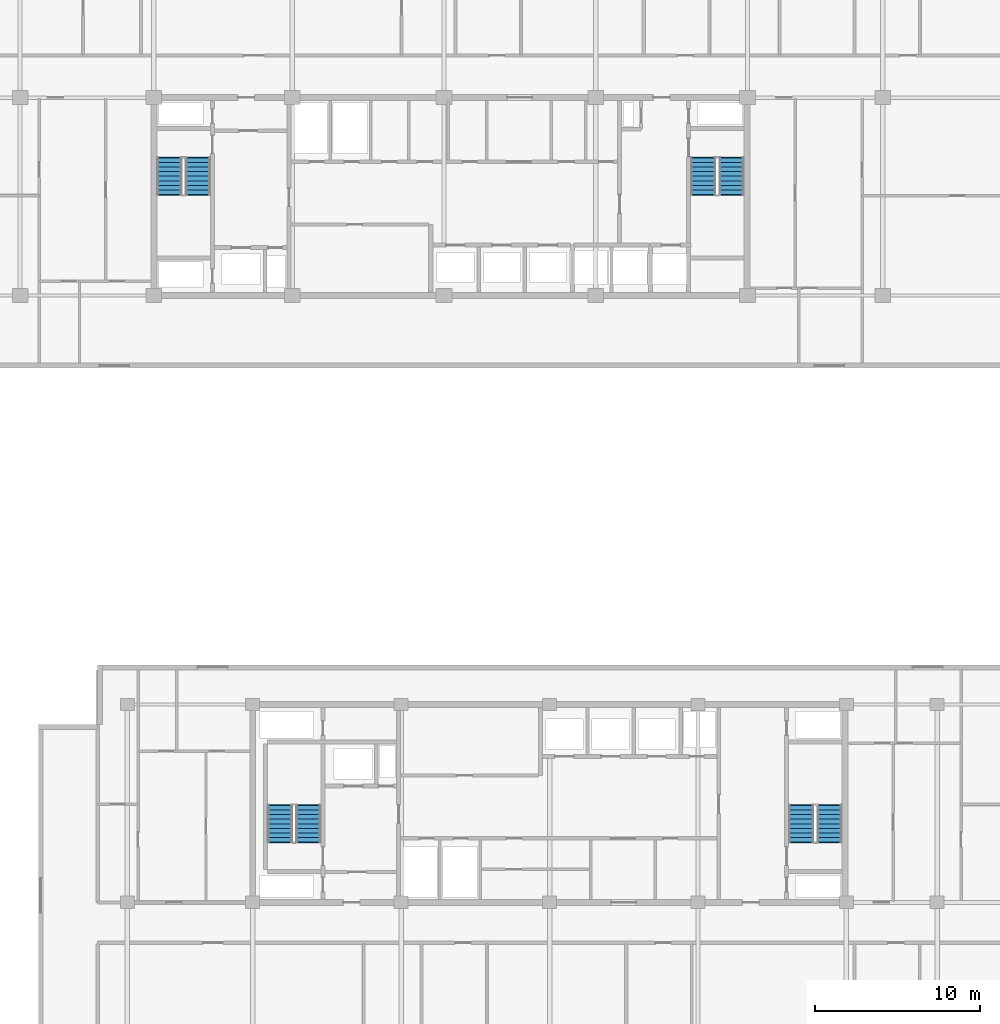
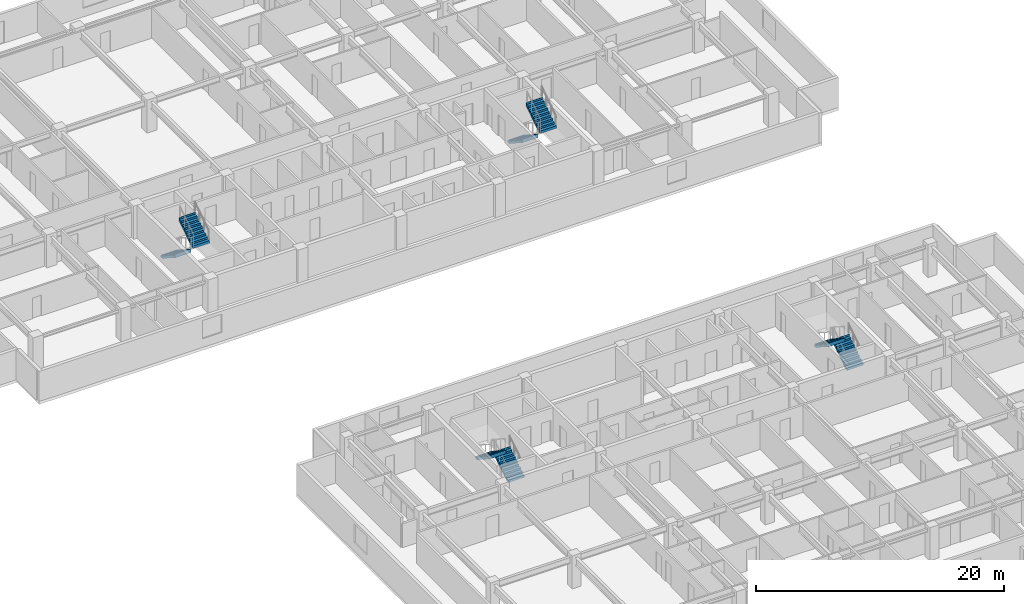
# One storey, part 17 of 22: 8 stair flights, 4 elements without a shape of their own.
"""IFC4 building model written with IfcOpenShell, lengths in metres."""

from ifc_helpers import new_model, si_unit, direction, frame, origin, place, context, subcontext, project, spatial, polyline, outline, extrude, material, type_object, element, aggregate, save


model = new_model("IFC4")

# Units and contexts
model_context = context("Model", 3, precision=1e-05, world=origin(), true_north=direction((0.0, 1.0)))
body_context = subcontext(model_context, "Body", "Model", "MODEL_VIEW")
ifc_project = project(units=[si_unit("LENGTHUNIT", "METRE"), si_unit("AREAUNIT", "SQUARE_METRE"), si_unit("VOLUMEUNIT", "CUBIC_METRE"), si_unit("PLANEANGLEUNIT", "RADIAN"), si_unit("MASSUNIT", "GRAM", prefix="KILO")], contexts=[model_context])

# Site, building, storey
site_placement = place(None, origin())
site = spatial("IfcSite", under=ifc_project, at=site_placement, CompositionType="ELEMENT")
building_placement = place(site_placement, origin())
building = spatial("IfcBuilding", under=site, at=building_placement, Name="Korimba Cascade Residences", CompositionType="ELEMENT")
storey_placement = place(building_placement, frame((0.0, 0.0, 110.050048828125)))
storey = spatial("IfcBuildingStorey", under=building, at=storey_placement, Name="L31", CompositionType="ELEMENT", Elevation=110.050048828125)

# Stair, stair flights
ifc_material = material(Name="Concrete C50/60", Category="concrete")
stair_type_1 = type_object("IfcStairType", Name="STR-W1-18R-1806", PredefinedType="HALF_TURN_STAIR", material=ifc_material)
stair_1_placement = place(storey_placement, origin())
stair_1 = element("IfcStair", 1, at=stair_1_placement, inside=storey, type_object=stair_type_1, Name="L31 Tower 1 West Fire Stair ST-W1", PredefinedType="HALF_TURN_STAIR")
stair_flight_type = type_object("IfcStairFlightType", Name="STF-DL-18R-1806-1520", PredefinedType="STRAIGHT", material=ifc_material)
stair_flight_1_placement = place(storey_placement, frame((77.06005859375, 63.550048828125, 0.0), z_axis=(0.0, 0.0, 1.0), x_axis=(0.0, -1.0, 0.0)))
stair_flight_1 = element("IfcStairFlight", 2, at=stair_flight_1_placement, type_object=stair_flight_type, Name="ST-W1 flight 1", NumberOfRisers=9, NumberOfTreads=8, PredefinedType="STRAIGHT", RiserHeight=0.180555556, TreadLength=0.28, context=body_context, shape_type="SweptSolid", body=[
    extrude(outline(polyline([(-0.0380859375, 0.0), (0.0, 0.1806640625), (0.280029296875, 0.1806640625), (0.280029296875, 0.361083984375), (0.56005859375, 0.361083984375), (0.56005859375, 0.541748046875), (0.840087890625, 0.541748046875), (0.840087890625, 0.72216796875), (1.1201171875, 0.72216796875), (1.1201171875, 0.90283203125), (1.39990234375, 0.90283203125), (1.39990234375, 1.083251953125), (1.679931640625, 1.083251953125), (1.679931640625, 1.263916015625), (1.9599609375, 1.263916015625), (1.9599609375, 1.4443359375), (2.239990234375, 1.4443359375), (2.239990234375, 1.625), (2.278076171875, 1.625), (2.278076171875, 1.26611328125), (0.276611328125, 0.0), (0.276611328125, -0.0380859375), (-0.0380859375, -0.0380859375), (-0.0380859375, 0.0)])), frame((0.0, 0.760009765625, 0.0), z_axis=(0.0, -1.0, 0.0), x_axis=(1.0, 0.0, 0.0)), (0.0, 0.0, 1.0), 1.52001953125),
])
stair_flight_2_placement = place(storey_placement, frame((78.780029296875, 61.31005859375, 1.625), z_axis=(0.0, 0.0, 1.0), x_axis=(0.0, 1.0, 0.0)))
stair_flight_2 = element("IfcStairFlight", 3, at=stair_flight_2_placement, type_object=stair_flight_type, Name="ST-W1 flight 2", NumberOfRisers=9, NumberOfTreads=8, PredefinedType="STRAIGHT", RiserHeight=0.180555556, TreadLength=0.28, context=body_context, shape_type="SweptSolid", body=[
    extrude(outline(polyline([(-0.0380859375, 0.0), (0.0, 0.1806640625), (0.280029296875, 0.1806640625), (0.280029296875, 0.361083984375), (0.56005859375, 0.361083984375), (0.56005859375, 0.541748046875), (0.840087890625, 0.541748046875), (0.840087890625, 0.72216796875), (1.1201171875, 0.72216796875), (1.1201171875, 0.90283203125), (1.39990234375, 0.90283203125), (1.39990234375, 1.083251953125), (1.679931640625, 1.083251953125), (1.679931640625, 1.263916015625), (1.9599609375, 1.263916015625), (1.9599609375, 1.4443359375), (2.239990234375, 1.4443359375), (2.239990234375, 1.625), (2.278076171875, 1.625), (2.278076171875, 1.26611328125), (0.276611328125, 0.0), (0.276611328125, -0.0380859375), (-0.0380859375, -0.0380859375), (-0.0380859375, 0.0)])), frame((0.0, 0.760009765625, 0.0), z_axis=(0.0, -1.0, 0.0), x_axis=(1.0, 0.0, 0.0)), (0.0, 0.0, 1.0), 1.52001953125),
])
aggregate(stair_1, [stair_flight_1, stair_flight_2])

stair_type_2 = type_object("IfcStairType", Name="STR-W2-18R-1806", PredefinedType="HALF_TURN_STAIR", material=ifc_material)
stair_2_placement = place(storey_placement, origin())
stair_2 = element("IfcStair", 4, at=stair_2_placement, inside=storey, type_object=stair_type_2, Name="L31 Tower 1 East Fire Stair ST-W2", PredefinedType="HALF_TURN_STAIR")
stair_flight_3_placement = place(storey_placement, frame((109.419921875, 63.550048828125, 0.0), z_axis=(0.0, 0.0, 1.0), x_axis=(0.0, -1.0, 0.0)))
stair_flight_3 = element("IfcStairFlight", 5, at=stair_flight_3_placement, type_object=stair_flight_type, Name="ST-W2 flight 1", NumberOfRisers=9, NumberOfTreads=8, PredefinedType="STRAIGHT", RiserHeight=0.180555556, TreadLength=0.28, context=body_context, shape_type="SweptSolid", body=[
    extrude(outline(polyline([(-0.0380859375, 0.0), (0.0, 0.1806640625), (0.280029296875, 0.1806640625), (0.280029296875, 0.361083984375), (0.56005859375, 0.361083984375), (0.56005859375, 0.541748046875), (0.840087890625, 0.541748046875), (0.840087890625, 0.72216796875), (1.1201171875, 0.72216796875), (1.1201171875, 0.90283203125), (1.39990234375, 0.90283203125), (1.39990234375, 1.083251953125), (1.679931640625, 1.083251953125), (1.679931640625, 1.263916015625), (1.9599609375, 1.263916015625), (1.9599609375, 1.4443359375), (2.239990234375, 1.4443359375), (2.239990234375, 1.625), (2.278076171875, 1.625), (2.278076171875, 1.26611328125), (0.276611328125, 0.0), (0.276611328125, -0.0380859375), (-0.0380859375, -0.0380859375), (-0.0380859375, 0.0)])), frame((0.0, 0.760009765625, 0.0), z_axis=(0.0, -1.0, 0.0), x_axis=(1.0, 0.0, 0.0)), (0.0, 0.0, 1.0), 1.52001953125),
])
stair_flight_4_placement = place(storey_placement, frame((111.139892578125, 61.31005859375, 1.625), z_axis=(0.0, 0.0, 1.0), x_axis=(0.0, 1.0, 0.0)))
stair_flight_4 = element("IfcStairFlight", 6, at=stair_flight_4_placement, type_object=stair_flight_type, Name="ST-W2 flight 2", NumberOfRisers=9, NumberOfTreads=8, PredefinedType="STRAIGHT", RiserHeight=0.180555556, TreadLength=0.28, context=body_context, shape_type="SweptSolid", body=[
    extrude(outline(polyline([(-0.0380859375, 0.0), (0.0, 0.1806640625), (0.280029296875, 0.1806640625), (0.280029296875, 0.361083984375), (0.56005859375, 0.361083984375), (0.56005859375, 0.541748046875), (0.840087890625, 0.541748046875), (0.840087890625, 0.72216796875), (1.1201171875, 0.72216796875), (1.1201171875, 0.90283203125), (1.39990234375, 0.90283203125), (1.39990234375, 1.083251953125), (1.679931640625, 1.083251953125), (1.679931640625, 1.263916015625), (1.9599609375, 1.263916015625), (1.9599609375, 1.4443359375), (2.239990234375, 1.4443359375), (2.239990234375, 1.625), (2.278076171875, 1.625), (2.278076171875, 1.26611328125), (0.276611328125, 0.0), (0.276611328125, -0.0380859375), (-0.0380859375, -0.0380859375), (-0.0380859375, 0.0)])), frame((0.0, 0.760009765625, 0.0), z_axis=(0.0, -1.0, 0.0), x_axis=(1.0, 0.0, 0.0)), (0.0, 0.0, 1.0), 1.52001953125),
])
aggregate(stair_2, [stair_flight_3, stair_flight_4])

stair_type_3 = type_object("IfcStairType", Name="STR-E1-18R-1806", PredefinedType="HALF_TURN_STAIR", material=ifc_material)
stair_3_placement = place(storey_placement, origin())
stair_3 = element("IfcStair", 7, at=stair_3_placement, inside=storey, type_object=stair_type_3, Name="L31 Tower 2 West Fire Stair ST-E1", PredefinedType="HALF_TURN_STAIR")
stair_flight_5_placement = place(storey_placement, frame((85.47998046875, 22.050048828125, 0.0), z_axis=(0.0, 0.0, 1.0), x_axis=(0.0, 1.0, 0.0)))
stair_flight_5 = element("IfcStairFlight", 8, at=stair_flight_5_placement, type_object=stair_flight_type, Name="ST-E1 flight 1", NumberOfRisers=9, NumberOfTreads=8, PredefinedType="STRAIGHT", RiserHeight=0.180555556, TreadLength=0.28, context=body_context, shape_type="SweptSolid", body=[
    extrude(outline(polyline([(-0.0380859375, 0.0), (0.0, 0.1806640625), (0.280029296875, 0.1806640625), (0.280029296875, 0.361083984375), (0.56005859375, 0.361083984375), (0.56005859375, 0.541748046875), (0.840087890625, 0.541748046875), (0.840087890625, 0.72216796875), (1.1201171875, 0.72216796875), (1.1201171875, 0.90283203125), (1.39990234375, 0.90283203125), (1.39990234375, 1.083251953125), (1.679931640625, 1.083251953125), (1.679931640625, 1.263916015625), (1.9599609375, 1.263916015625), (1.9599609375, 1.4443359375), (2.239990234375, 1.4443359375), (2.239990234375, 1.625), (2.278076171875, 1.625), (2.278076171875, 1.26611328125), (0.276611328125, 0.0), (0.276611328125, -0.0380859375), (-0.0380859375, -0.0380859375), (-0.0380859375, 0.0)])), frame((0.0, 0.760009765625, 0.0), z_axis=(0.0, -1.0, 0.0), x_axis=(1.0, 0.0, 0.0)), (0.0, 0.0, 1.0), 1.52001953125),
])
stair_flight_6_placement = place(storey_placement, frame((83.760009765625, 24.2900390625, 1.625), z_axis=(0.0, 0.0, 1.0), x_axis=(0.0, -1.0, 0.0)))
stair_flight_6 = element("IfcStairFlight", 9, at=stair_flight_6_placement, type_object=stair_flight_type, Name="ST-E1 flight 2", NumberOfRisers=9, NumberOfTreads=8, PredefinedType="STRAIGHT", RiserHeight=0.180555556, TreadLength=0.28, context=body_context, shape_type="SweptSolid", body=[
    extrude(outline(polyline([(-0.0380859375, 0.0), (0.0, 0.1806640625), (0.280029296875, 0.1806640625), (0.280029296875, 0.361083984375), (0.56005859375, 0.361083984375), (0.56005859375, 0.541748046875), (0.840087890625, 0.541748046875), (0.840087890625, 0.72216796875), (1.1201171875, 0.72216796875), (1.1201171875, 0.90283203125), (1.39990234375, 0.90283203125), (1.39990234375, 1.083251953125), (1.679931640625, 1.083251953125), (1.679931640625, 1.263916015625), (1.9599609375, 1.263916015625), (1.9599609375, 1.4443359375), (2.239990234375, 1.4443359375), (2.239990234375, 1.625), (2.278076171875, 1.625), (2.278076171875, 1.26611328125), (0.276611328125, 0.0), (0.276611328125, -0.0380859375), (-0.0380859375, -0.0380859375), (-0.0380859375, 0.0)])), frame((0.0, 0.760009765625, 0.0), z_axis=(0.0, -1.0, 0.0), x_axis=(1.0, 0.0, 0.0)), (0.0, 0.0, 1.0), 1.52001953125),
])
aggregate(stair_3, [stair_flight_5, stair_flight_6])

stair_type_4 = type_object("IfcStairType", Name="STR-E2-18R-1806", PredefinedType="HALF_TURN_STAIR", material=ifc_material)
stair_4_placement = place(storey_placement, origin())
stair_4 = element("IfcStair", 10, at=stair_4_placement, inside=storey, type_object=stair_type_4, Name="L31 Tower 2 East Fire Stair ST-E2", PredefinedType="HALF_TURN_STAIR")
stair_flight_7_placement = place(storey_placement, frame((117.080078125, 22.050048828125, 0.0), z_axis=(0.0, 0.0, 1.0), x_axis=(0.0, 1.0, 0.0)))
stair_flight_7 = element("IfcStairFlight", 11, at=stair_flight_7_placement, type_object=stair_flight_type, Name="ST-E2 flight 1", NumberOfRisers=9, NumberOfTreads=8, PredefinedType="STRAIGHT", RiserHeight=0.180555556, TreadLength=0.28, context=body_context, shape_type="SweptSolid", body=[
    extrude(outline(polyline([(-0.0380859375, 0.0), (0.0, 0.1806640625), (0.280029296875, 0.1806640625), (0.280029296875, 0.361083984375), (0.56005859375, 0.361083984375), (0.56005859375, 0.541748046875), (0.840087890625, 0.541748046875), (0.840087890625, 0.72216796875), (1.1201171875, 0.72216796875), (1.1201171875, 0.90283203125), (1.39990234375, 0.90283203125), (1.39990234375, 1.083251953125), (1.679931640625, 1.083251953125), (1.679931640625, 1.263916015625), (1.9599609375, 1.263916015625), (1.9599609375, 1.4443359375), (2.239990234375, 1.4443359375), (2.239990234375, 1.625), (2.278076171875, 1.625), (2.278076171875, 1.26611328125), (0.276611328125, 0.0), (0.276611328125, -0.0380859375), (-0.0380859375, -0.0380859375), (-0.0380859375, 0.0)])), frame((0.0, 0.760009765625, 0.0), z_axis=(0.0, -1.0, 0.0), x_axis=(1.0, 0.0, 0.0)), (0.0, 0.0, 1.0), 1.52001953125),
])
stair_flight_8_placement = place(storey_placement, frame((115.360107421875, 24.2900390625, 1.625), z_axis=(0.0, 0.0, 1.0), x_axis=(0.0, -1.0, 0.0)))
stair_flight_8 = element("IfcStairFlight", 12, at=stair_flight_8_placement, type_object=stair_flight_type, Name="ST-E2 flight 2", NumberOfRisers=9, NumberOfTreads=8, PredefinedType="STRAIGHT", RiserHeight=0.180555556, TreadLength=0.28, context=body_context, shape_type="SweptSolid", body=[
    extrude(outline(polyline([(-0.0380859375, 0.0), (0.0, 0.1806640625), (0.280029296875, 0.1806640625), (0.280029296875, 0.361083984375), (0.56005859375, 0.361083984375), (0.56005859375, 0.541748046875), (0.840087890625, 0.541748046875), (0.840087890625, 0.72216796875), (1.1201171875, 0.72216796875), (1.1201171875, 0.90283203125), (1.39990234375, 0.90283203125), (1.39990234375, 1.083251953125), (1.679931640625, 1.083251953125), (1.679931640625, 1.263916015625), (1.9599609375, 1.263916015625), (1.9599609375, 1.4443359375), (2.239990234375, 1.4443359375), (2.239990234375, 1.625), (2.278076171875, 1.625), (2.278076171875, 1.26611328125), (0.276611328125, 0.0), (0.276611328125, -0.0380859375), (-0.0380859375, -0.0380859375), (-0.0380859375, 0.0)])), frame((0.0, 0.760009765625, 0.0), z_axis=(0.0, -1.0, 0.0), x_axis=(1.0, 0.0, 0.0)), (0.0, 0.0, 1.0), 1.52001953125),
])
aggregate(stair_4, [stair_flight_7, stair_flight_8])

save(model, "model.ifc")
